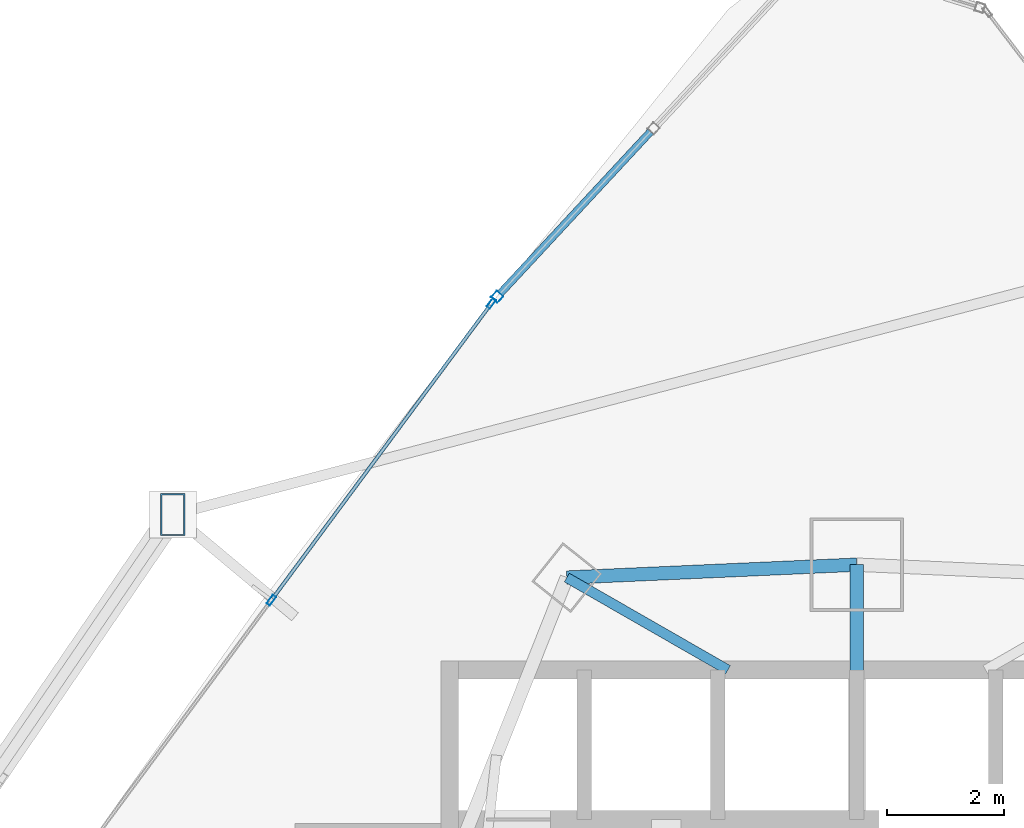
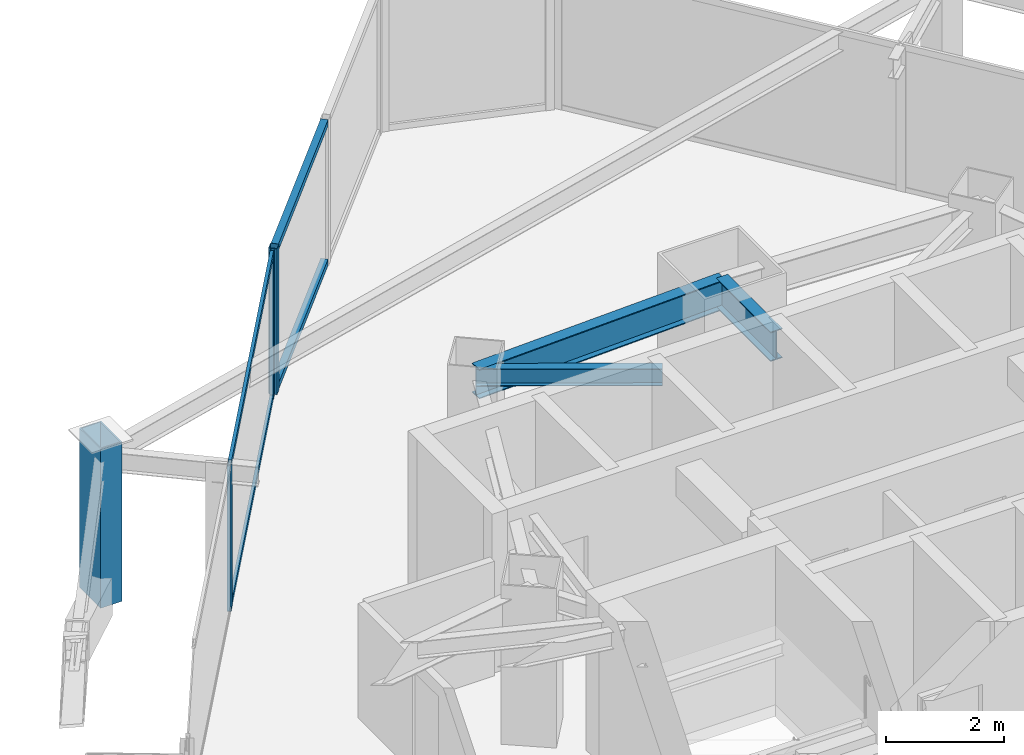
# One storey, part 25 of 38: 8 members, 3 beams, 2 elements without a shape of their own.
"""IFC4 building model written with IfcOpenShell, lengths in metres."""

from ifc_helpers import new_model, si_unit, direction, frame, origin, origin_2d, place, context, subcontext, project, spatial, hollow_rectangle, i_section, extrude, material, layer, layer_set, material_profile, profile_set, type_object, element, aggregate, save


model = new_model("IFC4")

# Units and contexts
model_context = context("Model", 3, precision=1e-05, world=origin(), true_north=direction((0.0, 1.0)))
body_context = subcontext(model_context, "Body", "Model", "MODEL_VIEW")
ifc_project = project(units=[si_unit("LENGTHUNIT", "METRE"), si_unit("AREAUNIT", "SQUARE_METRE"), si_unit("VOLUMEUNIT", "CUBIC_METRE"), si_unit("PLANEANGLEUNIT", "RADIAN"), si_unit("MASSUNIT", "GRAM", prefix="KILO")], contexts=[model_context])

# Site, building, storey
site_placement = place(None, origin())
site = spatial("IfcSite", under=ifc_project, at=site_placement, CompositionType="ELEMENT")
building_placement = place(site_placement, origin())
building = spatial("IfcBuilding", under=site, at=building_placement, Name="Orvanel Arch Residences", CompositionType="ELEMENT")
storey_placement = place(building_placement, frame((0.0, 0.0, 56.60009765625)))
storey = spatial("IfcBuildingStorey", under=building, at=storey_placement, Name="L15", CompositionType="ELEMENT", Elevation=56.60009765625)

# Beams
ifc_material_1 = material(Name="Structural steel AS/NZS 3679.1 Grade 300 (300 MPa)", Category="steel")
ifc_material_profile_1 = material_profile(ifc_material_1, i_section(OverallWidth=0.22900390625, OverallDepth=0.612060546875, WebThickness=0.011962890625, FlangeThickness=0.01953125, at=origin_2d()), Name="610UB125")
ifc_profile_set_1 = profile_set([ifc_material_profile_1], Name="Structural steel AS/NZS 3679.1 Grade 300 (300 MPa)")
beam_type_1 = type_object("IfcBeamType", Name="BG-610UB", PredefinedType="BEAM", material=ifc_profile_set_1)
beam_1_placement = place(storey_placement, frame((33.0, 39.550048828125, 2.7138671875), z_axis=(0.0, 1.0, 0.0), x_axis=(-1.0, 0.0, 0.0)))
element("IfcBeam", 1, at=beam_1_placement, inside=storey, type_object=beam_type_1, Name="L15 North Radial Girder", PredefinedType="BEAM", context=body_context, shape_type="SweptSolid", body=[
    extrude(i_section(OverallWidth=0.22900390625, OverallDepth=0.612060546875, WebThickness=0.011962890625, FlangeThickness=0.01953125, at=origin_2d()), origin(), (0.0, 0.0, 1.0), 1.847900390625),
])
ifc_material_profile_2 = material_profile(ifc_material_1, i_section(OverallWidth=0.1708984375, OverallDepth=0.35595703125, WebThickness=0.00732421875, FlangeThickness=0.011474609375, at=origin_2d()), Name="360UB50.7")
ifc_profile_set_2 = profile_set([ifc_material_profile_2], Name="Structural steel AS/NZS 3679.1 Grade 300 (300 MPa)")
beam_type_2 = type_object("IfcBeamType", Name="BJ-360UB", PredefinedType="JOIST", material=ifc_profile_set_2)
beam_2_placement = place(storey_placement, frame((30.800048828125, 39.60009765625, 2.841796875), z_axis=(-0.86736513383, 0.497672306458, 0.0), x_axis=(-0.497672306458, -0.86736513383, 0.0)))
element("IfcBeam", 2, at=beam_2_placement, inside=storey, type_object=beam_type_2, Name="L15 MNW Wing Floor Joist", PredefinedType="JOIST", context=body_context, shape_type="SweptSolid", body=[
    extrude(i_section(OverallWidth=0.1708984375, OverallDepth=0.35595703125, WebThickness=0.00732421875, FlangeThickness=0.011474609375, at=origin_2d()), origin(), (0.0, 0.0, 1.0), 3.17041015625),
])

# Member
ifc_material_2 = material(Name="Structural steel AS/NZS 3678 Grade 350", Category="steel")
ifc_material_profile_3 = material_profile(ifc_material_2, hollow_rectangle(XDim=0.419921875, YDim=0.719970703125, WallThickness=0.02490234375, at=origin_2d()), Name="RHS720x420x25")
ifc_profile_set_3 = profile_set([ifc_material_profile_3], Name="Structural steel AS/NZS 3678 Grade 350")
member_type_1 = type_object("IfcMemberType", Name="CH-720RHS-EXT", PredefinedType="CHORD", material=ifc_profile_set_3)
member_1_placement = place(storey_placement, frame((21.323974609375, 42.251953125, 0.0), z_axis=(0.0, 0.0, 1.0), x_axis=(1.0, 0.0, 0.0)))
element("IfcMember", 3, at=member_1_placement, inside=storey, type_object=member_type_1, Name="L15 Outer Perimeter Frame Post 01", PredefinedType="CHORD", context=body_context, shape_type="SweptSolid", body=[
    extrude(hollow_rectangle(XDim=0.419921875, YDim=0.719970703125, WallThickness=0.02490234375, at=origin_2d()), origin(), (0.0, 0.0, 1.0), 3.2998046875),
])

# Curtain wall, member
ifc_material_3 = material(Name="Bronze-anodised aluminium AA6063-T6", Category="aluminium")
ifc_layer_1 = layer(ifc_material_3, 0.18994140625)
ifc_layer_set_1 = layer_set([ifc_layer_1], Name="Bronze-anodised aluminium AA6063-T6")
curtain_wall_type_1 = type_object("IfcCurtainWallType", Name="CW5-CRN-SYS", PredefinedType="NOTDEFINED", material=ifc_layer_set_1)
curtain_wall_1_placement = place(storey_placement, origin())
curtain_wall_1 = element("IfcCurtainWall", 4, at=curtain_wall_1_placement, inside=storey, type_object=curtain_wall_type_1, Name="L15 CW5-CRN-SYS Unitised Curtain Wall", PredefinedType="NOTDEFINED")
ifc_material_profile_4 = material_profile(ifc_material_3, hollow_rectangle(XDim=0.14990234375, YDim=0.14990234375, WallThickness=0.0048828125, at=origin_2d()), Name="ALU150x150x5")
ifc_profile_set_4 = profile_set([ifc_material_profile_4], Name="Bronze-anodised aluminium AA6063-T6")
member_type_2 = type_object("IfcMemberType", Name="MUL-150x150", PredefinedType="MULLION", material=ifc_profile_set_4)
member_2_placement = place(storey_placement, frame((26.860107421875, 45.971923828125, 0.0), z_axis=(0.0, 0.0, 1.0), x_axis=(0.732512897092, -0.680753153202, 0.0)))
member_2 = element("IfcMember", 5, at=member_2_placement, type_object=member_type_2, Name="CW-S5 mullion 3", PredefinedType="MULLION", context=body_context, shape_type="SweptSolid", body=[
    extrude(hollow_rectangle(XDim=0.14990234375, YDim=0.14990234375, WallThickness=0.0048828125, at=origin_2d()), origin(), (0.0, 0.0, 1.0), 3.02001953125),
])

# Curtain wall, members
ifc_layer_2 = layer(ifc_material_3, 0.179931640625)
ifc_layer_set_2 = layer_set([ifc_layer_2], Name="Bronze-anodised aluminium AA6063-T6")
curtain_wall_type_2 = type_object("IfcCurtainWallType", Name="CW2-LOW-SYS", PredefinedType="NOTDEFINED", material=ifc_layer_set_2)
curtain_wall_2_placement = place(storey_placement, origin())
curtain_wall_2 = element("IfcCurtainWall", 6, at=curtain_wall_2_placement, inside=storey, type_object=curtain_wall_type_2, Name="L15 CW2-LOW-SYS Unitised Curtain Wall", PredefinedType="NOTDEFINED")
ifc_material_profile_5 = material_profile(ifc_material_3, hollow_rectangle(XDim=0.070068359375, YDim=0.179931640625, WallThickness=0.00439453125, at=origin_2d()), Name="ALU180x70x4.5")
ifc_profile_set_5 = profile_set([ifc_material_profile_5], Name="Bronze-anodised aluminium AA6063-T6")
member_type_3 = type_object("IfcMemberType", Name="MUL-180x70", PredefinedType="MULLION", material=ifc_profile_set_5)
member_3_placement = place(storey_placement, frame((26.76220703125, 45.85791015625, 0.0), z_axis=(0.0, 0.0, 1.0), x_axis=(0.803233082468, -0.595664851429, 0.0)))
member_3 = element("IfcMember", 7, at=member_3_placement, type_object=member_type_3, Name="CW-S2 mullion 1", PredefinedType="MULLION", context=body_context, shape_type="SweptSolid", body=[
    extrude(hollow_rectangle(XDim=0.070068359375, YDim=0.179931640625, WallThickness=0.00439453125, at=origin_2d()), origin(), (0.0, 0.0, 1.0), 3.02001953125),
])
member_4_placement = place(storey_placement, frame((23.0048828125, 40.79150390625, 0.0), z_axis=(0.0, 0.0, 1.0), x_axis=(0.803233082468, -0.595664851429, 0.0)))
member_4 = element("IfcMember", 8, at=member_4_placement, type_object=member_type_3, Name="CW-S2 mullion 2", PredefinedType="MULLION", context=body_context, shape_type="SweptSolid", body=[
    extrude(hollow_rectangle(XDim=0.070068359375, YDim=0.179931640625, WallThickness=0.00439453125, at=origin_2d()), origin(), (0.0, 0.0, 1.0), 3.02001953125),
])

# Beam
ifc_material_profile_6 = material_profile(ifc_material_1, i_section(OverallWidth=0.22900390625, OverallDepth=0.612060546875, WebThickness=0.011962890625, FlangeThickness=0.01953125, at=origin_2d()), Name="610UB125")
ifc_profile_set_6 = profile_set([ifc_material_profile_6], Name="Structural steel AS/NZS 3679.1 Grade 300 (300 MPa)")
beam_type_3 = type_object("IfcBeamType", Name="SP-610UB", PredefinedType="SPANDREL", material=ifc_profile_set_6)
beam_3_placement = place(storey_placement, frame((33.0, 41.39794921875, 2.7138671875), z_axis=(-0.999014049296, -0.044395149614, 0.0), x_axis=(0.044395149614, -0.999014049296, 0.0)))
element("IfcBeam", 9, at=beam_3_placement, inside=storey, type_object=beam_type_3, Name="L15 Perimeter Spandrel Beam 17", PredefinedType="SPANDREL", context=body_context, shape_type="SweptSolid", body=[
    extrude(i_section(OverallWidth=0.22900390625, OverallDepth=0.612060546875, WebThickness=0.011962890625, FlangeThickness=0.01953125, at=origin_2d()), origin(), (0.0, 0.0, 1.0), 4.954833984375),
])

# Member
ifc_material_profile_7 = material_profile(ifc_material_3, hollow_rectangle(XDim=0.1298828125, YDim=0.1298828125, WallThickness=0.00439453125, at=origin_2d()), Name="ALU130x130x4.5")
ifc_profile_set_7 = profile_set([ifc_material_profile_7], Name="Bronze-anodised aluminium AA6063-T6")
member_type_4 = type_object("IfcMemberType", Name="TRN-130x130", PredefinedType="USERDEFINED", material=ifc_profile_set_7)
member_5_placement = place(storey_placement, frame((29.48046875, 48.79150390625, 0.06494140625), z_axis=(-0.680758698107, -0.732507743953, 0.0), x_axis=(0.732507743953, -0.680758698107, 0.0)))
member_5 = element("IfcMember", 10, at=member_5_placement, type_object=member_type_4, Name="CW-S5 transom 2.1", ObjectType="TRANSOM", PredefinedType="USERDEFINED", context=body_context, shape_type="SweptSolid", body=[
    extrude(hollow_rectangle(XDim=0.1298828125, YDim=0.1298828125, WallThickness=0.00439453125, at=origin_2d()), origin(), (0.0, 0.0, 1.0), 3.774169921875),
])

member_6_placement = place(storey_placement, frame((29.48046875, 48.79150390625, 2.954833984375), z_axis=(-0.680758698107, -0.732507743953, 0.0), x_axis=(0.732507743953, -0.680758698107, 0.0)))
member_6 = element("IfcMember", 11, at=member_6_placement, type_object=member_type_4, Name="CW-S5 transom 2.2", ObjectType="TRANSOM", PredefinedType="USERDEFINED", context=body_context, shape_type="SweptSolid", body=[
    extrude(hollow_rectangle(XDim=0.1298828125, YDim=0.1298828125, WallThickness=0.00439453125, at=origin_2d()), origin(), (0.0, 0.0, 1.0), 3.774169921875),
])

aggregate(curtain_wall_1, [member_2, member_5, member_6])

ifc_material_profile_8 = material_profile(ifc_material_3, hollow_rectangle(XDim=0.06005859375, YDim=0.135009765625, WallThickness=0.00390625, at=origin_2d()), Name="ALU135x60x4")
ifc_profile_set_8 = profile_set([ifc_material_profile_8], Name="Bronze-anodised aluminium AA6063-T6")
member_type_5 = type_object("IfcMemberType", Name="TRN-135x60", PredefinedType="USERDEFINED", material=ifc_profile_set_8)
member_7_placement = place(storey_placement, frame((26.7412109375, 45.829833984375, 0.02978515625), z_axis=(-0.595644949227, -0.803247841243, 0.0), x_axis=(0.803247841243, -0.595644949227, 0.0)))
member_7 = element("IfcMember", 12, at=member_7_placement, type_object=member_type_5, Name="CW-S2 transom 1.1", ObjectType="TRANSOM", PredefinedType="USERDEFINED", context=body_context, shape_type="SweptSolid", body=[
    extrude(hollow_rectangle(XDim=0.06005859375, YDim=0.135009765625, WallThickness=0.00390625, at=origin_2d()), origin(), (0.0, 0.0, 1.0), 6.237548828125),
])

member_8_placement = place(storey_placement, frame((26.7412109375, 45.829833984375, 2.989990234375), z_axis=(-0.595644949227, -0.803247841243, 0.0), x_axis=(0.803247841243, -0.595644949227, 0.0)))
member_8 = element("IfcMember", 13, at=member_8_placement, type_object=member_type_5, Name="CW-S2 transom 1.2", ObjectType="TRANSOM", PredefinedType="USERDEFINED", context=body_context, shape_type="SweptSolid", body=[
    extrude(hollow_rectangle(XDim=0.06005859375, YDim=0.135009765625, WallThickness=0.00390625, at=origin_2d()), origin(), (0.0, 0.0, 1.0), 6.237548828125),
])

aggregate(curtain_wall_2, [member_3, member_4, member_7, member_8])

save(model, "model.ifc")
